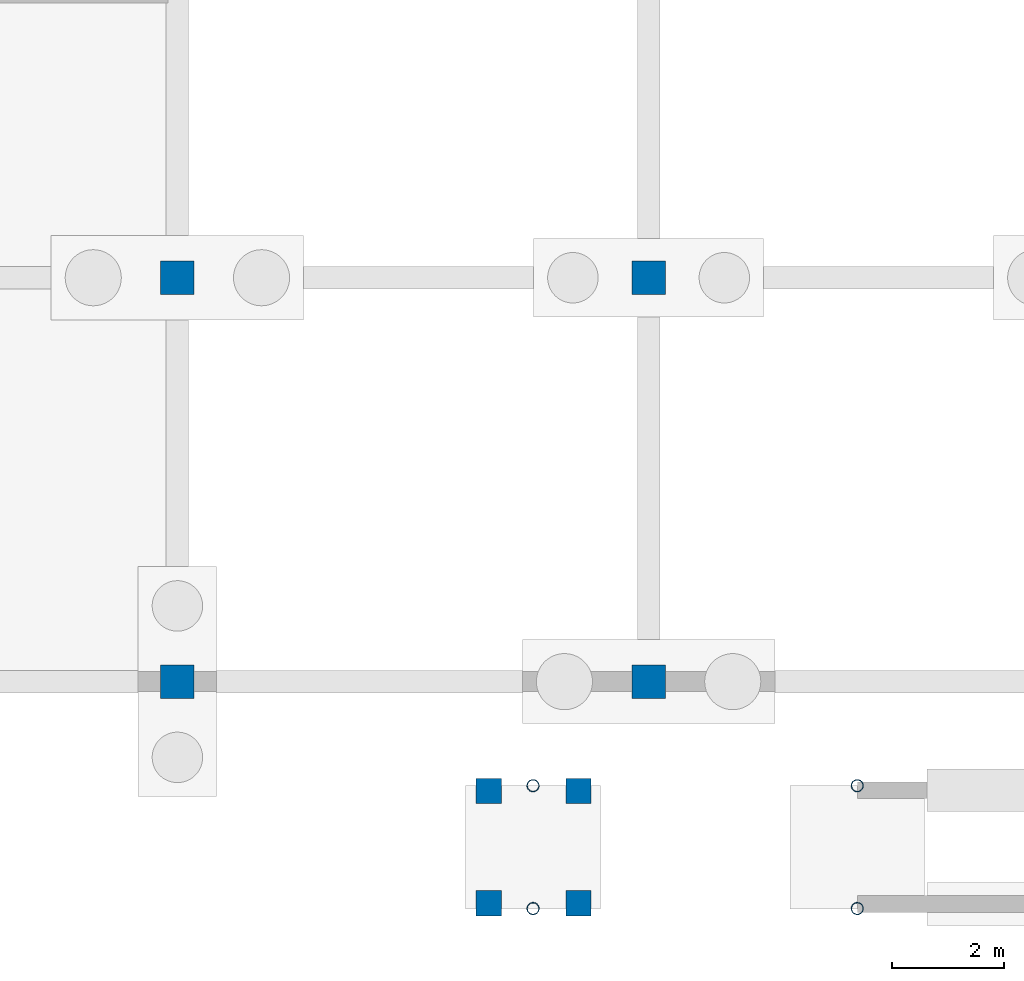
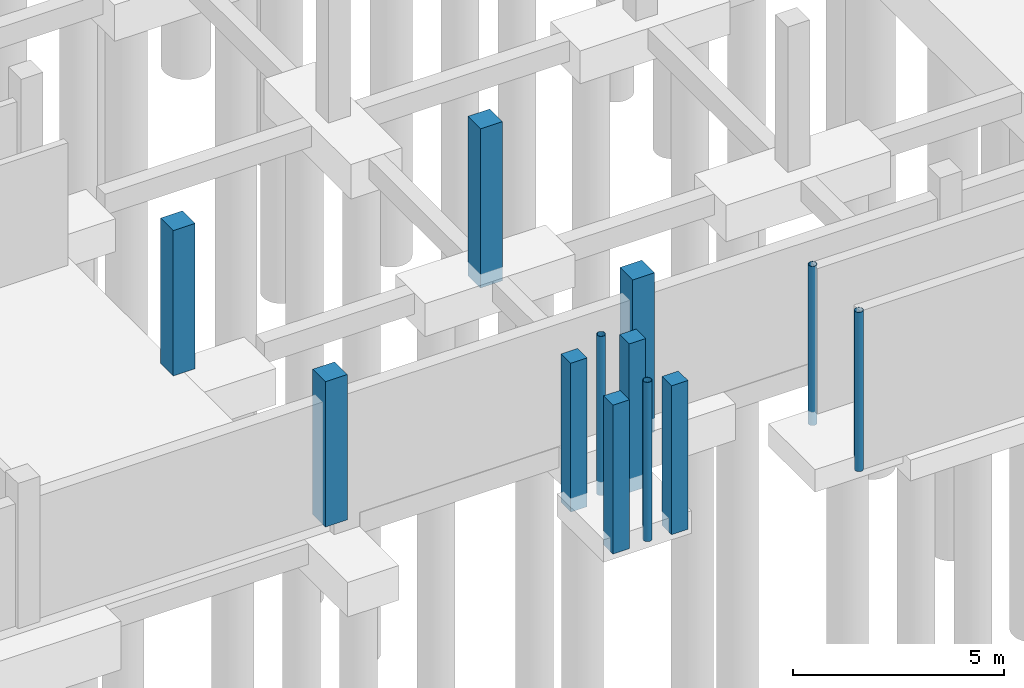
# One storey, part 8 of 22: 12 columns.
"""IFC4 building model written with IfcOpenShell, lengths in metres."""

from ifc_helpers import new_model, si_unit, direction, frame, origin, origin_2d, place, context, subcontext, project, spatial, rectangle, hollow_circle, extrude, material, material_profile, profile_set, type_object, element, save


model = new_model("IFC4")

# Units and contexts
model_context = context("Model", 3, precision=1e-05, world=origin(), true_north=direction((0.0, 1.0)))
body_context = subcontext(model_context, "Body", "Model", "MODEL_VIEW")
ifc_project = project(units=[si_unit("LENGTHUNIT", "METRE"), si_unit("AREAUNIT", "SQUARE_METRE"), si_unit("VOLUMEUNIT", "CUBIC_METRE"), si_unit("PLANEANGLEUNIT", "RADIAN"), si_unit("MASSUNIT", "GRAM", prefix="KILO")], contexts=[model_context])

# Site, building, storey
site_placement = place(None, origin())
site = spatial("IfcSite", under=ifc_project, at=site_placement, CompositionType="ELEMENT")
building_placement = place(site_placement, origin())
building = spatial("IfcBuilding", under=site, at=building_placement, Name="Kahlenmark Community Centre", CompositionType="ELEMENT")
storey_placement = place(building_placement, frame((0.0, 0.0, -4.199951171875)))
storey = spatial("IfcBuildingStorey", under=building, at=storey_placement, Name="B1", CompositionType="ELEMENT", Elevation=-4.199951171875)

# Columns
ifc_material_1 = material(Name="Concrete C35/45", Category="concrete")
ifc_material_profile_1 = material_profile(ifc_material_1, rectangle(XDim=0.449951171875, YDim=0.449951171875, at=origin_2d()), Name="RC 450x450")
ifc_profile_set_1 = profile_set([ifc_material_profile_1], Name="Concrete C35/45")
column_type_1 = type_object("IfcColumnType", Name="CT-PIER-ST09-RC450", PredefinedType="COLUMN", material=ifc_profile_set_1)
for number, where, z_axis, x_axis, name in (
    (1, (26.35009765625, 4.85009765625, -0.400146484375), (0.0, 0.0, 1.0), (1.0, 0.0, 0.0), "Ceremonial stair plinth pier 1"),
    (2, (27.949951171875, 4.85009765625, -0.400146484375), (0.0, 0.0, 1.0), (1.0, 0.0, 0.0), "Ceremonial stair plinth pier 2"),
    (3, (26.35009765625, 6.85009765625, -0.400146484375), (0.0, 0.0, 1.0), (1.0, 0.0, 0.0), "Ceremonial stair plinth pier 3"),
    (4, (27.949951171875, 6.85009765625, -0.400146484375), (0.0, 0.0, 1.0), (1.0, 0.0, 0.0), "Ceremonial stair plinth pier 4"),
):
    element("IfcColumn", number, at=place(storey_placement, frame(where, z_axis=z_axis, x_axis=x_axis)), inside=storey, type_object=column_type_1, Name=name, PredefinedType="COLUMN", context=body_context, shape_type="SweptSolid", body=[
        extrude(rectangle(XDim=0.449951171875, YDim=0.449951171875, at=origin_2d()), origin(), (0.0, 0.0, 1.0), 4.300048828125),
    ])
ifc_material_profile_2 = material_profile(ifc_material_1, rectangle(XDim=0.60009765625, YDim=0.60009765625, at=origin_2d()), Name="RC 600x600")
ifc_profile_set_2 = profile_set([ifc_material_profile_2], Name="Concrete C35/45")
column_type_2 = type_object("IfcColumnType", Name="CT-RC600", PredefinedType="COLUMN", material=ifc_profile_set_2)
for number, where, z_axis, x_axis, name in (
    (5, (20.800048828125, 8.800048828125, 0.0), (0.0, 0.0, 1.0), (1.0, 0.0, 0.0), "B1 column (20.8, 8.8)"),
    (6, (20.800048828125, 16.0, 0.0), (0.0, 0.0, 1.0), (1.0, 0.0, 0.0), "B1 column (20.8, 16.0)"),
):
    element("IfcColumn", number, at=place(storey_placement, frame(where, z_axis=z_axis, x_axis=x_axis)), inside=storey, type_object=column_type_2, Name=name, PredefinedType="COLUMN", context=body_context, shape_type="SweptSolid", body=[
        extrude(rectangle(XDim=0.60009765625, YDim=0.60009765625, at=origin_2d()), origin(), (0.0, 0.0, 1.0), 4.199951171875),
    ])
for number, where, z_axis, x_axis, name in (
    (7, (29.199951171875, 8.800048828125, -0.400146484375), (0.0, 0.0, 1.0), (1.0, 0.0, 0.0), "B1 column (29.2, 8.8)"),
    (8, (29.199951171875, 16.0, -0.400146484375), (0.0, 0.0, 1.0), (1.0, 0.0, 0.0), "B1 column (29.2, 16.0)"),
):
    element("IfcColumn", number, at=place(storey_placement, frame(where, z_axis=z_axis, x_axis=x_axis)), inside=storey, type_object=column_type_2, Name=name, PredefinedType="COLUMN", context=body_context, shape_type="SweptSolid", body=[
        extrude(rectangle(XDim=0.60009765625, YDim=0.60009765625, at=origin_2d()), origin(), (0.0, 0.0, 1.0), 4.60009765625),
    ])
ifc_material_2 = material(Name="Steel S355", Category="steel")
ifc_material_profile_3 = material_profile(ifc_material_2, hollow_circle(Radius=0.109619140625, WallThickness=0.010009765625, at=origin_2d()), Name="CHS 219.1x10")
ifc_profile_set_3 = profile_set([ifc_material_profile_3], Name="Steel S355")
column_type_3 = type_object("IfcColumnType", Name="CT-ST09-CHS219", PredefinedType="COLUMN", material=ifc_profile_set_3)
for number, where, z_axis, x_axis, name in (
    (9, (27.139892578125, 4.7548828125, -0.400146484375), (0.0, 0.0, 1.0), (1.0, 0.0, 0.0), "Ceremonial stair pier column B1-1"),
    (10, (27.139892578125, 6.945068359375, -0.400146484375), (0.0, 0.0, 1.0), (1.0, 0.0, 0.0), "Ceremonial stair pier column B1-2"),
    (11, (32.919921875, 4.7548828125, -0.400146484375), (0.0, 0.0, 1.0), (1.0, 0.0, 0.0), "Ceremonial stair pier column B1-3"),
    (12, (32.919921875, 6.945068359375, -0.400146484375), (0.0, 0.0, 1.0), (1.0, 0.0, 0.0), "Ceremonial stair pier column B1-4"),
):
    element("IfcColumn", number, at=place(storey_placement, frame(where, z_axis=z_axis, x_axis=x_axis)), inside=storey, type_object=column_type_3, Name=name, PredefinedType="COLUMN", context=body_context, shape_type="SweptSolid", body=[
        extrude(hollow_circle(Radius=0.109619140625, WallThickness=0.010009765625, at=origin_2d()), origin(), (0.0, 0.0, 1.0), 4.60009765625),
    ])

save(model, "model.ifc")
